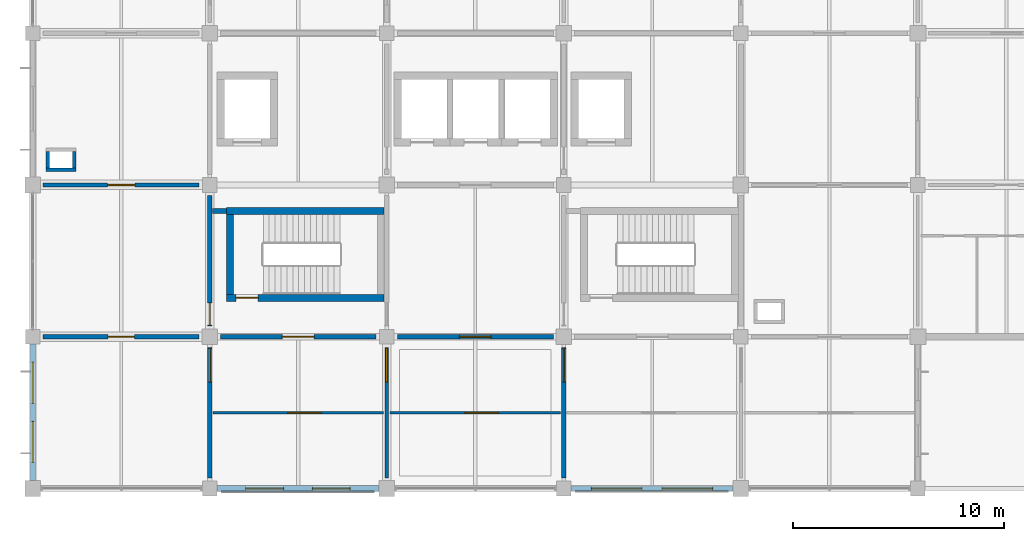
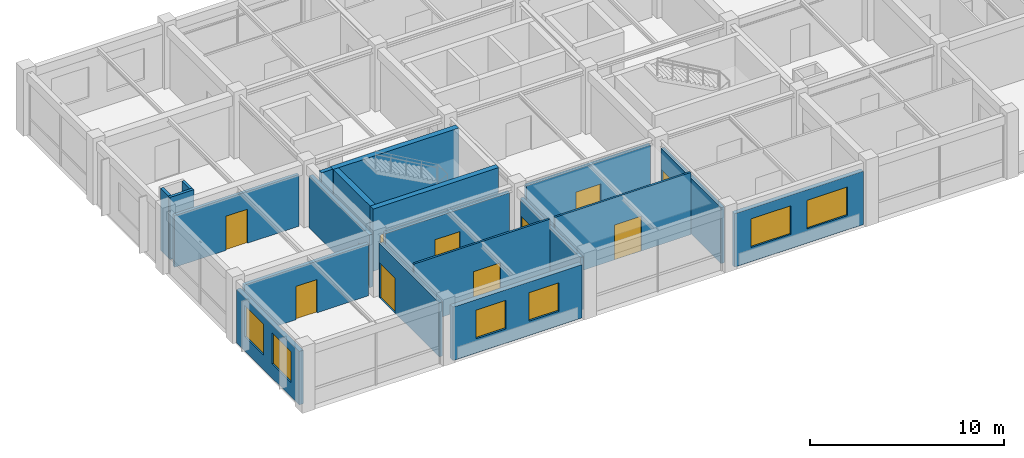
# One storey, part 8 of 14: 20 walls, 11 doors, 6 windows, 17 openings.
"""IFC4 building model written with IfcOpenShell, lengths in metres."""

from ifc_helpers import new_model, si_unit, derived_unit, direction, frame, frame_2d, origin, place, context, subcontext, project, spatial, rectangle, extrude, material, layer, layer_set, type_object, element, fill, save


model = new_model("IFC4")

# Units and contexts
model_context = context("Model", 3, precision=1e-05, world=origin(), true_north=direction((0.0, 1.0)))
body_context = subcontext(model_context, "Body", "Model", "MODEL_VIEW")
ifc_project = project(units=[si_unit("LENGTHUNIT", "METRE"), si_unit("AREAUNIT", "SQUARE_METRE"), si_unit("VOLUMEUNIT", "CUBIC_METRE"), si_unit("PLANEANGLEUNIT", "RADIAN"), si_unit("MASSUNIT", "GRAM", prefix="KILO"), derived_unit("THERMALTRANSMITTANCEUNIT", [(si_unit("MASSUNIT", "GRAM", prefix="KILO"), 1), (si_unit("TIMEUNIT", "SECOND"), -3), (si_unit("THERMODYNAMICTEMPERATUREUNIT", "KELVIN"), -1)])], contexts=[model_context])

# Site, building, storey
site_placement = place(None, origin())
site = spatial("IfcSite", under=ifc_project, at=site_placement, CompositionType="ELEMENT")
building_placement = place(site_placement, origin())
building = spatial("IfcBuilding", under=site, at=building_placement, Name="Veldstrom Oceanarium and Marine Research Institute", CompositionType="ELEMENT")
storey_placement = place(building_placement, frame((0.0, 0.0, 35.39990234375)))
storey = spatial("IfcBuildingStorey", under=building, at=storey_placement, Name="L07", CompositionType="ELEMENT", Elevation=35.39990234375)

# Wall, openings, windows
ifc_material_1 = material(Name="Masonry Cavity Wall", Category="masonry")
ifc_layer_1 = layer(ifc_material_1, 0.2900390625)
ifc_layer_set_1 = layer_set([ifc_layer_1], Name="ARC-WAL-EW2")
wall_type_1 = type_object("IfcWallType", Name="ARC-WAL-EW2", PredefinedType="SOLIDWALL", material=ifc_layer_set_1)
wall_1_placement = place(storey_placement, frame((75.949951171875, 43.199951171875, 0.0), z_axis=(0.0, 0.0, 1.0), x_axis=(1.0, 0.0, 0.0)))
wall_1 = element("IfcWall", 1, at=wall_1_placement, inside=storey, type_object=wall_type_1, Name="Exterior Facade Wall EW2 L07-197", PredefinedType="SOLIDWALL", context=body_context, shape_type="SweptSolid", body=[
    extrude(rectangle(XDim=7.675048828125, YDim=0.2900390625, at=frame_2d((3.83740234375, 0.0))), origin(), (0.0, 0.0, 1.0), 3.364990234375),
])
opening_1_placement = place(wall_1_placement, frame((1.3583984375, 0.0, 0.89990234375)))
opening_1 = element("IfcOpeningElement", 2, at=opening_1_placement, cuts=wall_1, Name="Opening W03", PredefinedType="OPENING", context=body_context, shape_type="SweptSolid", body=[
    extrude(rectangle(XDim=1.800048828125, YDim=1.800048828125, at=frame_2d((0.89990234375, 0.89990234375))), frame((0.0, 0.155029296875, 0.0), z_axis=(0.0, -1.0, 0.0), x_axis=(1.0, 0.0, 0.0)), (0.0, 0.0, 1.0), 0.31005859375),
])
opening_2_placement = place(wall_1_placement, frame((4.5166015625, 0.0, 0.89990234375)))
opening_2 = element("IfcOpeningElement", 3, at=opening_2_placement, cuts=wall_1, Name="Opening W03", PredefinedType="OPENING", context=body_context, shape_type="SweptSolid", body=[
    extrude(rectangle(XDim=1.800048828125, YDim=1.800048828125, at=frame_2d((0.89990234375, 0.89990234375))), frame((0.0, 0.155029296875, 0.0), z_axis=(0.0, -1.0, 0.0), x_axis=(1.0, 0.0, 0.0)), (0.0, 0.0, 1.0), 0.31005859375),
])
ifc_material_2 = material(Name="Double Glazed Low-E IGU", Category="glass")
window_type_1 = type_object("IfcWindowType", Name="ARC-WIN-W03", PartitioningType="SINGLE_PANEL", PredefinedType="WINDOW", material=ifc_material_2)
window_1_placement = place(opening_1_placement, origin())
window_1 = element("IfcWindow", 4, at=window_1_placement, inside=storey, type_object=window_type_1, Name="Facade Window W03 L07-0165", OverallHeight=1.800048828125, OverallWidth=1.800048828125, PartitioningType="SINGLE_PANEL", PredefinedType="WINDOW", context=body_context, shape_type="SweptSolid", body=[
    extrude(rectangle(XDim=1.800048828125, YDim=1.800048828125, at=frame_2d((0.89990234375, 0.89990234375))), frame((0.0, 0.030029296875, 0.0), z_axis=(0.0, -1.0, 0.0), x_axis=(1.0, 0.0, 0.0)), (0.0, 0.0, 1.0), 0.06005859375),
])
fill(opening_1, window_1)
window_2_placement = place(opening_2_placement, origin())
window_2 = element("IfcWindow", 5, at=window_2_placement, inside=storey, type_object=window_type_1, Name="Facade Window W03 L07-0166", OverallHeight=1.800048828125, OverallWidth=1.800048828125, PartitioningType="SINGLE_PANEL", PredefinedType="WINDOW", context=body_context, shape_type="SweptSolid", body=[
    extrude(rectangle(XDim=1.800048828125, YDim=1.800048828125, at=frame_2d((0.89990234375, 0.89990234375))), frame((0.0, 0.030029296875, 0.0), z_axis=(0.0, -1.0, 0.0), x_axis=(1.0, 0.0, 0.0)), (0.0, 0.0, 1.0), 0.06005859375),
])
fill(opening_2, window_2)

ifc_material_3 = material(Name="Masonry Cavity Wall", Category="masonry")
ifc_layer_2 = layer(ifc_material_3, 0.25)
ifc_layer_set_2 = layer_set([ifc_layer_2], Name="ARC-WAL-EW5")
wall_type_2 = type_object("IfcWallType", Name="ARC-WAL-EW5", PredefinedType="SOLIDWALL", material=ifc_layer_set_2)
wall_2_placement = place(storey_placement, frame((67.199951171875, 43.574951171875, 0.0), z_axis=(0.0, 0.0, 1.0), x_axis=(0.0, 1.0, 0.0)))
wall_2 = element("IfcWall", 6, at=wall_2_placement, inside=storey, type_object=wall_type_2, Name="Exterior Facade Wall EW5 L07-194", PredefinedType="SOLIDWALL", context=body_context, shape_type="SweptSolid", body=[
    extrude(rectangle(XDim=6.47509765625, YDim=0.25, at=frame_2d((3.237548828125, 0.0))), origin(), (0.0, 0.0, 1.0), 3.364990234375),
])
opening_3_placement = place(wall_2_placement, frame((0.8583984375, 0.0, 0.89990234375)))
opening_3 = element("IfcOpeningElement", 7, at=opening_3_placement, cuts=wall_2, Name="Opening W22", PredefinedType="OPENING", context=body_context, shape_type="SweptSolid", body=[
    extrude(rectangle(XDim=1.949951171875, YDim=1.949951171875, at=frame_2d((0.97509765625, 0.97509765625))), frame((0.0, 0.135009765625, 0.0), z_axis=(0.0, -1.0, 0.0), x_axis=(1.0, 0.0, 0.0)), (0.0, 0.0, 1.0), 0.27001953125),
])
opening_4_placement = place(wall_2_placement, frame((3.666748046875, 0.0, 0.89990234375)))
opening_4 = element("IfcOpeningElement", 8, at=opening_4_placement, cuts=wall_2, Name="Opening W22", PredefinedType="OPENING", context=body_context, shape_type="SweptSolid", body=[
    extrude(rectangle(XDim=1.949951171875, YDim=1.949951171875, at=frame_2d((0.97509765625, 0.97509765625))), frame((0.0, 0.135009765625, 0.0), z_axis=(0.0, -1.0, 0.0), x_axis=(1.0, 0.0, 0.0)), (0.0, 0.0, 1.0), 0.27001953125),
])
ifc_material_4 = material(Name="Double Glazed Low-E IGU", Category="glass")
window_type_2 = type_object("IfcWindowType", Name="ARC-WIN-W22", PartitioningType="SINGLE_PANEL", PredefinedType="WINDOW", material=ifc_material_4)
window_3_placement = place(opening_3_placement, origin())
window_3 = element("IfcWindow", 9, at=window_3_placement, inside=storey, type_object=window_type_2, Name="Facade Window W22 L07-0160", OverallHeight=1.949951171875, OverallWidth=1.949951171875, PartitioningType="SINGLE_PANEL", PredefinedType="WINDOW", context=body_context, shape_type="SweptSolid", body=[
    extrude(rectangle(XDim=1.949951171875, YDim=1.949951171875, at=frame_2d((0.97509765625, 0.97509765625))), frame((0.0, 0.030029296875, 0.0), z_axis=(0.0, -1.0, 0.0), x_axis=(1.0, 0.0, 0.0)), (0.0, 0.0, 1.0), 0.06005859375),
])
fill(opening_3, window_3)
window_4_placement = place(opening_4_placement, origin())
window_4 = element("IfcWindow", 10, at=window_4_placement, inside=storey, type_object=window_type_2, Name="Facade Window W22 L07-0161", OverallHeight=1.949951171875, OverallWidth=1.949951171875, PartitioningType="SINGLE_PANEL", PredefinedType="WINDOW", context=body_context, shape_type="SweptSolid", body=[
    extrude(rectangle(XDim=1.949951171875, YDim=1.949951171875, at=frame_2d((0.97509765625, 0.97509765625))), frame((0.0, 0.030029296875, 0.0), z_axis=(0.0, -1.0, 0.0), x_axis=(1.0, 0.0, 0.0)), (0.0, 0.0, 1.0), 0.06005859375),
])
fill(opening_4, window_4)

wall_3_placement = place(storey_placement, frame((92.75, 43.199951171875, 0.0), z_axis=(0.0, 0.0, 1.0), x_axis=(1.0, 0.0, 0.0)))
wall_3 = element("IfcWall", 11, at=wall_3_placement, inside=storey, type_object=wall_type_2, Name="Exterior Facade Wall EW5 L07-199", PredefinedType="SOLIDWALL", context=body_context, shape_type="SweptSolid", body=[
    extrude(rectangle(XDim=7.675048828125, YDim=0.25, at=frame_2d((3.83740234375, 0.0))), origin(), (0.0, 0.0, 1.0), 3.364990234375),
])
opening_5_placement = place(wall_3_placement, frame((0.958251953125, 0.0, 0.89990234375)))
opening_5 = element("IfcOpeningElement", 12, at=opening_5_placement, cuts=wall_3, Name="Opening W01", PredefinedType="OPENING", context=body_context, shape_type="SweptSolid", body=[
    extrude(rectangle(XDim=2.39990234375, YDim=1.800048828125, at=frame_2d((1.199951171875, 0.89990234375))), frame((0.0, 0.135009765625, 0.0), z_axis=(0.0, -1.0, 0.0), x_axis=(1.0, 0.0, 0.0)), (0.0, 0.0, 1.0), 0.27001953125),
])
opening_6_placement = place(wall_3_placement, frame((4.316650390625, 0.0, 0.89990234375)))
opening_6 = element("IfcOpeningElement", 13, at=opening_6_placement, cuts=wall_3, Name="Opening W01", PredefinedType="OPENING", context=body_context, shape_type="SweptSolid", body=[
    extrude(rectangle(XDim=2.39990234375, YDim=1.800048828125, at=frame_2d((1.199951171875, 0.89990234375))), frame((0.0, 0.135009765625, 0.0), z_axis=(0.0, -1.0, 0.0), x_axis=(1.0, 0.0, 0.0)), (0.0, 0.0, 1.0), 0.27001953125),
])
ifc_material_5 = material(Name="Double Glazed Low-E IGU", Category="glass")
window_type_3 = type_object("IfcWindowType", Name="ARC-WIN-W01", PartitioningType="SINGLE_PANEL", PredefinedType="WINDOW", material=ifc_material_5)
window_5_placement = place(opening_5_placement, origin())
window_5 = element("IfcWindow", 14, at=window_5_placement, inside=storey, type_object=window_type_3, Name="Facade Window W01 L07-0169", OverallHeight=1.800048828125, OverallWidth=2.39990234375, PartitioningType="SINGLE_PANEL", PredefinedType="WINDOW", context=body_context, shape_type="SweptSolid", body=[
    extrude(rectangle(XDim=2.39990234375, YDim=1.800048828125, at=frame_2d((1.199951171875, 0.89990234375))), frame((0.0, 0.030029296875, 0.0), z_axis=(0.0, -1.0, 0.0), x_axis=(1.0, 0.0, 0.0)), (0.0, 0.0, 1.0), 0.06005859375),
])
fill(opening_5, window_5)
window_6_placement = place(opening_6_placement, origin())
window_6 = element("IfcWindow", 15, at=window_6_placement, inside=storey, type_object=window_type_3, Name="Facade Window W01 L07-0170", OverallHeight=1.800048828125, OverallWidth=2.39990234375, PartitioningType="SINGLE_PANEL", PredefinedType="WINDOW", context=body_context, shape_type="SweptSolid", body=[
    extrude(rectangle(XDim=2.39990234375, YDim=1.800048828125, at=frame_2d((1.199951171875, 0.89990234375))), frame((0.0, 0.030029296875, 0.0), z_axis=(0.0, -1.0, 0.0), x_axis=(1.0, 0.0, 0.0)), (0.0, 0.0, 1.0), 0.06005859375),
])
fill(opening_6, window_6)

# Wall, opening, door
ifc_material_6 = material(Name="Masonry Fire Compartment Wall", Category="masonry")
ifc_layer_3 = layer(ifc_material_6, 0.22998046875)
ifc_layer_set_3 = layer_set([ifc_layer_3], Name="ARC-WAL-PT1")
wall_type_3 = type_object("IfcWallType", Name="ARC-WAL-PT1", PredefinedType="PARTITIONING", material=ifc_layer_set_3)
wall_4_placement = place(storey_placement, frame((75.60009765625, 50.89990234375, 0.0), z_axis=(0.0, 0.0, 1.0), x_axis=(0.0, 1.0, 0.0)))
wall_4 = element("IfcWall", 16, at=wall_4_placement, inside=storey, type_object=wall_type_3, Name="Interior Partition PT1 L07-1521", PredefinedType="PARTITIONING", context=body_context, shape_type="SweptSolid", body=[
    extrude(rectangle(XDim=6.2001953125, YDim=0.22998046875, at=frame_2d((3.10009765625, 0.0))), origin(), (0.0, 0.0, 1.0), 3.315185546875),
])
opening_7_placement = place(wall_4_placement, frame((0.050048828125, 0.0, 0.0)))
opening_7 = element("IfcOpeningElement", 17, at=opening_7_placement, cuts=wall_4, Name="Opening D-L07-915", PredefinedType="OPENING", context=body_context, shape_type="SweptSolid", body=[
    extrude(rectangle(XDim=1.050048828125, YDim=2.14990234375, at=frame_2d((0.52490234375, 1.074951171875))), frame((0.0, 0.125, 0.0), z_axis=(0.0, -1.0, 0.0), x_axis=(1.0, 0.0, 0.0)), (0.0, 0.0, 1.0), 0.25),
])
ifc_material_7 = material(Name="Painted Steel Fire Door", Category="steel")
door_type_1 = type_object("IfcDoorType", Name="ARC-DOR-SD1", OperationType="SINGLE_SWING_LEFT", PredefinedType="DOOR", material=ifc_material_7)
door_1_placement = place(opening_7_placement, origin())
door_1 = element("IfcDoor", 18, at=door_1_placement, inside=storey, type_object=door_type_1, Name="Interior Door D-L07-915", OperationType="SINGLE_SWING_LEFT", OverallHeight=2.14990234375, OverallWidth=1.050048828125, PredefinedType="DOOR", context=body_context, shape_type="SweptSolid", body=[
    extrude(rectangle(XDim=1.050048828125, YDim=2.14990234375, at=frame_2d((0.52490234375, 1.074951171875))), frame((0.0, 0.02490234375, 0.0), z_axis=(0.0, -1.0, 0.0), x_axis=(1.0, 0.0, 0.0)), (0.0, 0.0, 1.0), 0.050048828125),
])
fill(opening_7, door_1)

wall_5_placement = place(storey_placement, frame((76.10009765625, 50.39990234375, 0.0), z_axis=(0.0, 0.0, 1.0), x_axis=(1.0, 0.0, 0.0)))
wall_5 = element("IfcWall", 19, at=wall_5_placement, inside=storey, type_object=wall_type_3, Name="Interior Partition PT1 L07-1527", PredefinedType="PARTITIONING", context=body_context, shape_type="SweptSolid", body=[
    extrude(rectangle(XDim=7.39990234375, YDim=0.22998046875, at=frame_2d((3.699951171875, 0.0))), origin(), (0.0, 0.0, 1.0), 3.565185546875),
])
opening_8_placement = place(wall_5_placement, frame((2.949951171875, 0.0, 0.0)))
opening_8 = element("IfcOpeningElement", 20, at=opening_8_placement, cuts=wall_5, Name="Opening D-L07-920", PredefinedType="OPENING", context=body_context, shape_type="SweptSolid", body=[
    extrude(rectangle(XDim=1.5, YDim=2.14990234375, at=frame_2d((0.75, 1.074951171875))), frame((0.0, 0.125, 0.0), z_axis=(0.0, -1.0, 0.0), x_axis=(1.0, 0.0, 0.0)), (0.0, 0.0, 1.0), 0.25),
])
ifc_material_8 = material(Name="Painted Steel Lobby Fire Door", Category="steel")
door_type_2 = type_object("IfcDoorType", Name="ARC-DOR-SD2", OperationType="DOUBLE_DOOR_SINGLE_SWING", PredefinedType="DOOR", material=ifc_material_8)
door_2_placement = place(opening_8_placement, frame((1.5, 0.0, 0.0), z_axis=(0.0, 0.0, 1.0), x_axis=(-1.0, 0.0, 0.0)))
door_2 = element("IfcDoor", 21, at=door_2_placement, inside=storey, type_object=door_type_2, Name="Interior Door D-L07-920", OperationType="DOUBLE_DOOR_SINGLE_SWING", OverallHeight=2.14990234375, OverallWidth=1.5, PredefinedType="DOOR", context=body_context, shape_type="SweptSolid", body=[
    extrude(rectangle(XDim=1.5, YDim=2.14990234375, at=frame_2d((0.75, 1.074951171875))), frame((0.0, 0.02490234375, 0.0), z_axis=(0.0, -1.0, 0.0), x_axis=(1.0, 0.0, 0.0)), (0.0, 0.0, 1.0), 0.050048828125),
])
fill(opening_8, door_2)

# Wall
wall_6_placement = place(storey_placement, frame((75.719970703125, 56.360107421875, 0.0), z_axis=(0.0, 0.0, 1.0), x_axis=(1.0, 0.0, 0.0)))
element("IfcWall", 22, at=wall_6_placement, inside=storey, type_object=wall_type_3, Name="Interior Partition PT1 L07-1529", PredefinedType="PARTITIONING", context=body_context, shape_type="SweptSolid", body=[
    extrude(rectangle(XDim=0.679931640625, YDim=0.22998046875, at=frame_2d((0.33984375, 0.0))), origin(), (0.0, 0.0, 1.0), 3.920166015625),
])

# Wall, opening, door
ifc_material_9 = material(Name="Gypsum Acoustic Lab Partition", Category="gypsum")
ifc_layer_4 = layer(ifc_material_9, 0.1201171875)
ifc_layer_set_4 = layer_set([ifc_layer_4], Name="ARC-WAL-PT10")
wall_type_4 = type_object("IfcWallType", Name="ARC-WAL-PT10", PredefinedType="PARTITIONING", material=ifc_layer_set_4)
wall_7_placement = place(storey_placement, frame((75.75, 46.800048828125, 0.0), z_axis=(0.0, 0.0, 1.0), x_axis=(1.0, 0.0, 0.0)))
wall_7 = element("IfcWall", 23, at=wall_7_placement, inside=storey, type_object=wall_type_4, Name="Laboratory Suite Partition L07-9/6", PredefinedType="PARTITIONING", context=body_context, shape_type="SweptSolid", body=[
    extrude(rectangle(XDim=8.10009765625, YDim=0.1201171875, at=frame_2d((4.050048828125, 0.0))), origin(), (0.0, 0.0, 1.0), 3.920166015625),
])
opening_9_placement = place(wall_7_placement, frame((3.550048828125, 0.0, 0.0)))
opening_9 = element("IfcOpeningElement", 24, at=opening_9_placement, cuts=wall_7, Name="Opening D-L07-S905", PredefinedType="OPENING", context=body_context, shape_type="SweptSolid", body=[
    extrude(rectangle(XDim=1.60009765625, YDim=2.199951171875, at=frame_2d((0.800048828125, 1.10009765625))), frame((0.0, 0.070068359375, 0.0), z_axis=(0.0, -1.0, 0.0), x_axis=(1.0, 0.0, 0.0)), (0.0, 0.0, 1.0), 0.14013671875),
])
ifc_material_10 = material(Name="Acoustic Timber Corridor Door", Category="wood")
door_type_3 = type_object("IfcDoorType", Name="ARC-DOR-ID02", OperationType="DOUBLE_DOOR_SINGLE_SWING", PredefinedType="DOOR", material=ifc_material_10)
door_3_placement = place(opening_9_placement, frame((1.60009765625, 0.0, 0.0), z_axis=(0.0, 0.0, 1.0), x_axis=(-1.0, 0.0, 0.0)))
door_3 = element("IfcDoor", 25, at=door_3_placement, inside=storey, type_object=door_type_3, Name="Suite Interior Door D-L07-S905", OperationType="SINGLE_SWING_RIGHT", OverallHeight=2.199951171875, OverallWidth=1.60009765625, PredefinedType="DOOR", context=body_context, shape_type="SweptSolid", body=[
    extrude(rectangle(XDim=1.60009765625, YDim=2.199951171875, at=frame_2d((0.800048828125, 1.10009765625))), frame((0.0, 0.02490234375, 0.0), z_axis=(0.0, -1.0, 0.0), x_axis=(1.0, 0.0, 0.0)), (0.0, 0.0, 1.0), 0.050048828125),
])
fill(opening_9, door_3)

wall_8_placement = place(storey_placement, frame((84.14990234375, 46.800048828125, 0.0), z_axis=(0.0, 0.0, 1.0), x_axis=(1.0, 0.0, 0.0)))
wall_8 = element("IfcWall", 26, at=wall_8_placement, inside=storey, type_object=wall_type_4, Name="Laboratory Suite Partition L07-10/6", PredefinedType="PARTITIONING", context=body_context, shape_type="SweptSolid", body=[
    extrude(rectangle(XDim=8.10009765625, YDim=0.1201171875, at=frame_2d((4.050048828125, 0.0))), origin(), (0.0, 0.0, 1.0), 3.920166015625),
])
opening_10_placement = place(wall_8_placement, frame((3.550048828125, 0.0, 0.0)))
opening_10 = element("IfcOpeningElement", 27, at=opening_10_placement, cuts=wall_8, Name="Opening D-L07-S906", PredefinedType="OPENING", context=body_context, shape_type="SweptSolid", body=[
    extrude(rectangle(XDim=1.60009765625, YDim=2.199951171875, at=frame_2d((0.800048828125, 1.10009765625))), frame((0.0, 0.070068359375, 0.0), z_axis=(0.0, -1.0, 0.0), x_axis=(1.0, 0.0, 0.0)), (0.0, 0.0, 1.0), 0.14013671875),
])
door_4_placement = place(opening_10_placement, frame((1.60009765625, 0.0, 0.0), z_axis=(0.0, 0.0, 1.0), x_axis=(-1.0, 0.0, 0.0)))
door_4 = element("IfcDoor", 28, at=door_4_placement, inside=storey, type_object=door_type_3, Name="Suite Interior Door D-L07-S906", OperationType="SINGLE_SWING_LEFT", OverallHeight=2.199951171875, OverallWidth=1.60009765625, PredefinedType="DOOR", context=body_context, shape_type="SweptSolid", body=[
    extrude(rectangle(XDim=1.60009765625, YDim=2.199951171875, at=frame_2d((0.800048828125, 1.10009765625))), frame((0.0, 0.02490234375, 0.0), z_axis=(0.0, -1.0, 0.0), x_axis=(1.0, 0.0, 0.0)), (0.0, 0.0, 1.0), 0.050048828125),
])
fill(opening_10, door_4)

ifc_material_11 = material(Name="Masonry Acoustic Lab Partition", Category="masonry")
ifc_layer_5 = layer(ifc_material_11, 0.205078125)
ifc_layer_set_5 = layer_set([ifc_layer_5], Name="ARC-WAL-PT2")
wall_type_5 = type_object("IfcWallType", Name="ARC-WAL-PT2", PredefinedType="PARTITIONING", material=ifc_layer_set_5)
wall_9_placement = place(storey_placement, frame((75.60009765625, 43.699951171875, 0.0), z_axis=(0.0, 0.0, 1.0), x_axis=(0.0, 1.0, 0.0)))
wall_9 = element("IfcWall", 29, at=wall_9_placement, inside=storey, type_object=wall_type_5, Name="Interior Partition PT2 L07-1519", PredefinedType="PARTITIONING", context=body_context, shape_type="SweptSolid", body=[
    extrude(rectangle(XDim=6.199951171875, YDim=0.205078125, at=frame_2d((3.10009765625, 0.0))), origin(), (0.0, 0.0, 1.0), 3.4150390625),
])
opening_11_placement = place(wall_9_placement, frame((4.550048828125, 0.0, 0.0)))
opening_11 = element("IfcOpeningElement", 30, at=opening_11_placement, cuts=wall_9, Name="Opening D-L07-913", PredefinedType="OPENING", context=body_context, shape_type="SweptSolid", body=[
    extrude(rectangle(XDim=1.60009765625, YDim=2.199951171875, at=frame_2d((0.800048828125, 1.10009765625))), frame((0.0, 0.112548828125, 0.0), z_axis=(0.0, -1.0, 0.0), x_axis=(1.0, 0.0, 0.0)), (0.0, 0.0, 1.0), 0.22509765625),
])
door_5_placement = place(opening_11_placement, origin())
door_5 = element("IfcDoor", 31, at=door_5_placement, inside=storey, type_object=door_type_3, Name="Interior Door D-L07-913", OperationType="DOUBLE_DOOR_SINGLE_SWING", OverallHeight=2.199951171875, OverallWidth=1.60009765625, PredefinedType="DOOR", context=body_context, shape_type="SweptSolid", body=[
    extrude(rectangle(XDim=1.60009765625, YDim=2.199951171875, at=frame_2d((0.800048828125, 1.10009765625))), frame((0.0, 0.02490234375, 0.0), z_axis=(0.0, -1.0, 0.0), x_axis=(1.0, 0.0, 0.0)), (0.0, 0.0, 1.0), 0.050048828125),
])
fill(opening_11, door_5)

wall_10_placement = place(storey_placement, frame((67.699951171875, 50.39990234375, 0.0), z_axis=(0.0, 0.0, 1.0), x_axis=(1.0, 0.0, 0.0)))
wall_10 = element("IfcWall", 32, at=wall_10_placement, inside=storey, type_object=wall_type_5, Name="Interior Partition PT2 L07-1520", PredefinedType="PARTITIONING", context=body_context, shape_type="SweptSolid", body=[
    extrude(rectangle(XDim=7.400146484375, YDim=0.205078125, at=frame_2d((3.7001953125, 0.0))), origin(), (0.0, 0.0, 1.0), 3.26513671875),
])
opening_12_placement = place(wall_10_placement, frame((3.074951171875, 0.0, 0.0)))
opening_12 = element("IfcOpeningElement", 33, at=opening_12_placement, cuts=wall_10, Name="Opening D-L07-914", PredefinedType="OPENING", context=body_context, shape_type="SweptSolid", body=[
    extrude(rectangle(XDim=1.25, YDim=2.10009765625, at=frame_2d((0.625, 1.050048828125))), frame((0.0, 0.112548828125, 0.0), z_axis=(0.0, -1.0, 0.0), x_axis=(1.0, 0.0, 0.0)), (0.0, 0.0, 1.0), 0.22509765625),
])
ifc_material_12 = material(Name="Specimen Prep Door", Category="timber")
door_type_4 = type_object("IfcDoorType", Name="ARC-DOR-ID16", OperationType="SINGLE_SWING_RIGHT", PredefinedType="DOOR", material=ifc_material_12)
door_6_placement = place(opening_12_placement, frame((1.25, 0.0, 0.0), z_axis=(0.0, 0.0, 1.0), x_axis=(-1.0, 0.0, 0.0)))
door_6 = element("IfcDoor", 34, at=door_6_placement, inside=storey, type_object=door_type_4, Name="Interior Door D-L07-914", OperationType="SINGLE_SWING_LEFT", OverallHeight=2.10009765625, OverallWidth=1.25, PredefinedType="DOOR", context=body_context, shape_type="SweptSolid", body=[
    extrude(rectangle(XDim=1.25, YDim=2.10009765625, at=frame_2d((0.625, 1.050048828125))), frame((0.0, 0.02490234375, 0.0), z_axis=(0.0, -1.0, 0.0), x_axis=(1.0, 0.0, 0.0)), (0.0, 0.0, 1.0), 0.050048828125),
])
fill(opening_12, door_6)

wall_11_placement = place(storey_placement, frame((92.39990234375, 43.699951171875, 0.0), z_axis=(0.0, 0.0, 1.0), x_axis=(0.0, 1.0, 0.0)))
wall_11 = element("IfcWall", 35, at=wall_11_placement, inside=storey, type_object=wall_type_5, Name="Interior Partition PT2 L07-1533", PredefinedType="PARTITIONING", context=body_context, shape_type="SweptSolid", body=[
    extrude(rectangle(XDim=6.199951171875, YDim=0.205078125, at=frame_2d((3.10009765625, 0.0))), origin(), (0.0, 0.0, 1.0), 3.51513671875),
])
opening_13_placement = place(wall_11_placement, frame((4.550048828125, 0.0, 0.0)))
opening_13 = element("IfcOpeningElement", 36, at=opening_13_placement, cuts=wall_11, Name="Opening D-L07-924", PredefinedType="OPENING", context=body_context, shape_type="SweptSolid", body=[
    extrude(rectangle(XDim=1.60009765625, YDim=2.199951171875, at=frame_2d((0.800048828125, 1.10009765625))), frame((0.0, 0.112548828125, 0.0), z_axis=(0.0, -1.0, 0.0), x_axis=(1.0, 0.0, 0.0)), (0.0, 0.0, 1.0), 0.22509765625),
])
door_7_placement = place(opening_13_placement, origin())
door_7 = element("IfcDoor", 37, at=door_7_placement, inside=storey, type_object=door_type_3, Name="Interior Door D-L07-924", OperationType="DOUBLE_DOOR_SINGLE_SWING", OverallHeight=2.199951171875, OverallWidth=1.60009765625, PredefinedType="DOOR", context=body_context, shape_type="SweptSolid", body=[
    extrude(rectangle(XDim=1.60009765625, YDim=2.199951171875, at=frame_2d((0.800048828125, 1.10009765625))), frame((0.0, 0.02490234375, 0.0), z_axis=(0.0, -1.0, 0.0), x_axis=(1.0, 0.0, 0.0)), (0.0, 0.0, 1.0), 0.050048828125),
])
fill(opening_13, door_7)

wall_12_placement = place(storey_placement, frame((84.5, 50.39990234375, 0.0), z_axis=(0.0, 0.0, 1.0), x_axis=(1.0, 0.0, 0.0)))
wall_12 = element("IfcWall", 38, at=wall_12_placement, inside=storey, type_object=wall_type_5, Name="Interior Partition PT2 L07-1534", PredefinedType="PARTITIONING", context=body_context, shape_type="SweptSolid", body=[
    extrude(rectangle(XDim=7.39990234375, YDim=0.205078125, at=frame_2d((3.699951171875, 0.0))), origin(), (0.0, 0.0, 1.0), 3.625),
])
opening_14_placement = place(wall_12_placement, frame((2.949951171875, 0.0, 0.0)))
opening_14 = element("IfcOpeningElement", 39, at=opening_14_placement, cuts=wall_12, Name="Opening D-L07-925", PredefinedType="OPENING", context=body_context, shape_type="SweptSolid", body=[
    extrude(rectangle(XDim=1.5, YDim=2.199951171875, at=frame_2d((0.75, 1.10009765625))), frame((0.0, 0.112548828125, 0.0), z_axis=(0.0, -1.0, 0.0), x_axis=(1.0, 0.0, 0.0)), (0.0, 0.0, 1.0), 0.22509765625),
])
ifc_material_13 = material(Name="Laboratory Double Leaf Door", Category="timber")
door_type_5 = type_object("IfcDoorType", Name="ARC-DOR-ID03", OperationType="DOUBLE_DOOR_SINGLE_SWING", PredefinedType="DOOR", material=ifc_material_13)
door_8_placement = place(opening_14_placement, frame((1.5, 0.0, 0.0), z_axis=(0.0, 0.0, 1.0), x_axis=(-1.0, 0.0, 0.0)))
door_8 = element("IfcDoor", 40, at=door_8_placement, inside=storey, type_object=door_type_5, Name="Interior Door D-L07-925", OperationType="DOUBLE_DOOR_SINGLE_SWING", OverallHeight=2.199951171875, OverallWidth=1.5, PredefinedType="DOOR", context=body_context, shape_type="SweptSolid", body=[
    extrude(rectangle(XDim=1.5, YDim=2.199951171875, at=frame_2d((0.75, 1.10009765625))), frame((0.0, 0.02490234375, 0.0), z_axis=(0.0, -1.0, 0.0), x_axis=(1.0, 0.0, 0.0)), (0.0, 0.0, 1.0), 0.050048828125),
])
fill(opening_14, door_8)

ifc_material_14 = material(Name="Drywall Acoustic Partition", Category="gypsum")
ifc_layer_6 = layer(ifc_material_14, 0.175048828125)
ifc_layer_set_6 = layer_set([ifc_layer_6], Name="ARC-WAL-PT3")
wall_type_6 = type_object("IfcWallType", Name="ARC-WAL-PT3", PredefinedType="PARTITIONING", material=ifc_layer_set_6)
wall_13_placement = place(storey_placement, frame((67.699951171875, 57.60009765625, 0.0), z_axis=(0.0, 0.0, 1.0), x_axis=(1.0, 0.0, 0.0)))
wall_13 = element("IfcWall", 41, at=wall_13_placement, inside=storey, type_object=wall_type_6, Name="Interior Partition PT3 L07-1522", PredefinedType="PARTITIONING", context=body_context, shape_type="SweptSolid", body=[
    extrude(rectangle(XDim=7.400146484375, YDim=0.175048828125, at=frame_2d((3.7001953125, 0.0))), origin(), (0.0, 0.0, 1.0), 3.26513671875),
])
opening_15_placement = place(wall_13_placement, frame((3.050048828125, 0.0, 0.0)))
opening_15 = element("IfcOpeningElement", 42, at=opening_15_placement, cuts=wall_13, Name="Opening D-L07-916", PredefinedType="OPENING", context=body_context, shape_type="SweptSolid", body=[
    extrude(rectangle(XDim=1.300048828125, YDim=2.14990234375, at=frame_2d((0.64990234375, 1.074951171875))), frame((0.0, 0.097412109375, 0.0), z_axis=(0.0, -1.0, 0.0), x_axis=(1.0, 0.0, 0.0)), (0.0, 0.0, 1.0), 0.195068359375),
])
ifc_material_15 = material(Name="Wet Lab Leaf-and-Half Door", Category="timber")
door_type_6 = type_object("IfcDoorType", Name="ARC-DOR-ID05", OperationType="SINGLE_SWING_LEFT", PredefinedType="DOOR", material=ifc_material_15)
door_9_placement = place(opening_15_placement, origin())
door_9 = element("IfcDoor", 43, at=door_9_placement, inside=storey, type_object=door_type_6, Name="Interior Door D-L07-916", OperationType="SINGLE_SWING_LEFT", OverallHeight=2.14990234375, OverallWidth=1.300048828125, PredefinedType="DOOR", context=body_context, shape_type="SweptSolid", body=[
    extrude(rectangle(XDim=1.300048828125, YDim=2.14990234375, at=frame_2d((0.64990234375, 1.074951171875))), frame((0.0, 0.02490234375, 0.0), z_axis=(0.0, -1.0, 0.0), x_axis=(1.0, 0.0, 0.0)), (0.0, 0.0, 1.0), 0.050048828125),
])
fill(opening_15, door_9)

wall_14_placement = place(storey_placement, frame((84.0, 43.699951171875, 0.0), z_axis=(0.0, 0.0, 1.0), x_axis=(0.0, 1.0, 0.0)))
wall_14 = element("IfcWall", 44, at=wall_14_placement, inside=storey, type_object=wall_type_6, Name="Interior Partition PT3 L07-1526", PredefinedType="PARTITIONING", context=body_context, shape_type="SweptSolid", body=[
    extrude(rectangle(XDim=6.199951171875, YDim=0.175048828125, at=frame_2d((3.10009765625, 0.0))), origin(), (0.0, 0.0, 1.0), 3.315185546875),
])
opening_16_placement = place(wall_14_placement, frame((4.550048828125, 0.0, 0.0)))
opening_16 = element("IfcOpeningElement", 45, at=opening_16_placement, cuts=wall_14, Name="Opening D-L07-919", PredefinedType="OPENING", context=body_context, shape_type="SweptSolid", body=[
    extrude(rectangle(XDim=1.60009765625, YDim=2.199951171875, at=frame_2d((0.800048828125, 1.10009765625))), frame((0.0, 0.097412109375, 0.0), z_axis=(0.0, -1.0, 0.0), x_axis=(1.0, 0.0, 0.0)), (0.0, 0.0, 1.0), 0.195068359375),
])
door_10_placement = place(opening_16_placement, frame((1.60009765625, 0.0, 0.0), z_axis=(0.0, 0.0, 1.0), x_axis=(-1.0, 0.0, 0.0)))
door_10 = element("IfcDoor", 46, at=door_10_placement, inside=storey, type_object=door_type_3, Name="Interior Door D-L07-919", OperationType="DOUBLE_DOOR_SINGLE_SWING", OverallHeight=2.199951171875, OverallWidth=1.60009765625, PredefinedType="DOOR", context=body_context, shape_type="SweptSolid", body=[
    extrude(rectangle(XDim=1.60009765625, YDim=2.199951171875, at=frame_2d((0.800048828125, 1.10009765625))), frame((0.0, 0.02490234375, 0.0), z_axis=(0.0, -1.0, 0.0), x_axis=(1.0, 0.0, 0.0)), (0.0, 0.0, 1.0), 0.050048828125),
])
fill(opening_16, door_10)

# Walls
ifc_material_16 = material(Name="Service Riser Fire Shaft Wall", Category="masonry")
ifc_layer_7 = layer(ifc_material_16, 0.1650390625)
ifc_layer_set_7 = layer_set([ifc_layer_7], Name="ARC-WAL-PT9")
wall_type_7 = type_object("IfcWallType", Name="ARC-WAL-PT9", PredefinedType="PARTITIONING", material=ifc_layer_set_7)
wall_15_placement = place(storey_placement, frame((67.8349609375, 58.3173828125, 0.0), z_axis=(0.0, 0.0, 1.0), x_axis=(1.0, 0.0, 0.0)))
element("IfcWall", 47, at=wall_15_placement, inside=storey, type_object=wall_type_7, Name="Service Riser Fire Shaft Wall L07-CW-S", PredefinedType="PARTITIONING", context=body_context, shape_type="SweptSolid", body=[
    extrude(rectangle(XDim=1.429931640625, YDim=0.1650390625, at=frame_2d((0.71484375, 0.0))), origin(), (0.0, 0.0, 1.0), 3.920166015625),
])
for number, where, z_axis, x_axis, name in (
    (48, (67.91748046875, 58.39990234375, 0.0), (0.0, 0.0, 1.0), (0.0, 1.0, 0.0), "Service Riser Fire Shaft Wall L07-CW-W"),
    (49, (69.1826171875, 58.39990234375, 0.0), (0.0, 0.0, 1.0), (0.0, 1.0, 0.0), "Service Riser Fire Shaft Wall L07-CW-E"),
):
    element("IfcWall", number, at=place(storey_placement, frame(where, z_axis=z_axis, x_axis=x_axis)), inside=storey, type_object=wall_type_7, Name=name, PredefinedType="PARTITIONING", context=body_context, shape_type="SweptSolid", body=[
        extrude(rectangle(XDim=0.800048828125, YDim=0.1650390625, at=frame_2d((0.39990234375, 0.0))), origin(), (0.0, 0.0, 1.0), 3.920166015625),
    ])

# Wall, opening, door
ifc_material_17 = material(Name="Concrete C40/50", Category="concrete")
ifc_layer_8 = layer(ifc_material_17, 0.320068359375)
ifc_layer_set_8 = layer_set([ifc_layer_8], Name="STR-WAL-WC3")
wall_type_8 = type_object("IfcWallType", Name="STR-WAL-WC3", PredefinedType="SHEAR", material=ifc_layer_set_8)
wall_16_placement = place(storey_placement, frame((76.39990234375, 52.239990234375, 0.0), z_axis=(0.0, 0.0, 1.0), x_axis=(1.0, 0.0, 0.0)))
wall_16 = element("IfcWall", 50, at=wall_16_placement, inside=storey, type_object=wall_type_8, Name="Stair Core Shear Wall SC1-L07-S", PredefinedType="SHEAR", context=body_context, shape_type="SweptSolid", body=[
    extrude(rectangle(XDim=7.47998046875, YDim=0.320068359375, at=frame_2d((3.739990234375, 0.0))), origin(), (0.0, 0.0, 1.0), 3.920166015625),
])
opening_17_placement = place(wall_16_placement, frame((0.449951171875, 0.0, 0.0)))
opening_17 = element("IfcOpeningElement", 51, at=opening_17_placement, cuts=wall_16, Name="Opening D-ST1-L07", PredefinedType="OPENING", context=body_context, shape_type="SweptSolid", body=[
    extrude(rectangle(XDim=1.050048828125, YDim=2.14990234375, at=frame_2d((0.52490234375, 1.074951171875))), frame((0.0, 0.169921875, 0.0), z_axis=(0.0, -1.0, 0.0), x_axis=(1.0, 0.0, 0.0)), (0.0, 0.0, 1.0), 0.340087890625),
])
door_11_placement = place(opening_17_placement, origin())
door_11 = element("IfcDoor", 52, at=door_11_placement, inside=storey, type_object=door_type_1, Name="Escape Stair Fire Door D-ST1-L07", OperationType="SINGLE_SWING_LEFT", OverallHeight=2.14990234375, OverallWidth=1.050048828125, PredefinedType="DOOR", context=body_context, shape_type="SweptSolid", body=[
    extrude(rectangle(XDim=1.050048828125, YDim=2.14990234375, at=frame_2d((0.52490234375, 1.074951171875))), frame((0.0, 0.02490234375, 0.0), z_axis=(0.0, -1.0, 0.0), x_axis=(1.0, 0.0, 0.0)), (0.0, 0.0, 1.0), 0.050048828125),
])
fill(opening_17, door_11)

# Walls
wall_17_placement = place(storey_placement, frame((76.39990234375, 56.360107421875, 0.0), z_axis=(0.0, 0.0, 1.0), x_axis=(1.0, 0.0, 0.0)))
element("IfcWall", 53, at=wall_17_placement, inside=storey, type_object=wall_type_8, Name="Stair Core Shear Wall SC1-L07-N", PredefinedType="SHEAR", context=body_context, shape_type="SweptSolid", body=[
    extrude(rectangle(XDim=7.47998046875, YDim=0.320068359375, at=frame_2d((3.739990234375, 0.0))), origin(), (0.0, 0.0, 1.0), 3.920166015625),
])
wall_18_placement = place(storey_placement, frame((76.56005859375, 52.39990234375, 0.0), z_axis=(0.0, 0.0, 1.0), x_axis=(0.0, 1.0, 0.0)))
element("IfcWall", 54, at=wall_18_placement, inside=storey, type_object=wall_type_8, Name="Stair Core Shear Wall SC1-L07-W", PredefinedType="SHEAR", context=body_context, shape_type="SweptSolid", body=[
    extrude(rectangle(XDim=3.800048828125, YDim=0.320068359375, at=frame_2d((1.89990234375, 0.0))), origin(), (0.0, 0.0, 1.0), 3.920166015625),
])

save(model, "model.ifc")
